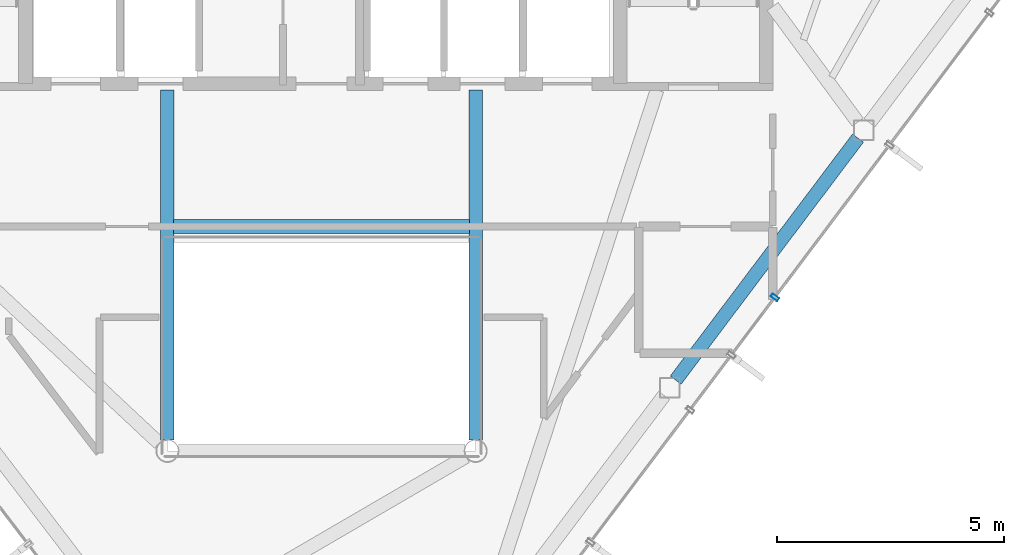
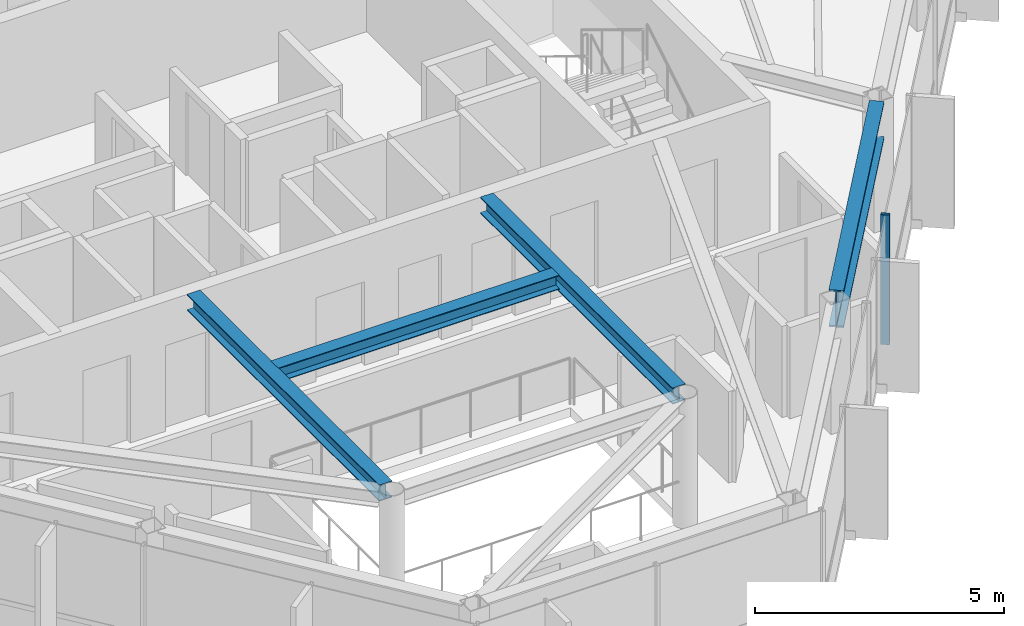
# One storey, part 9 of 22: 4 beams, 1 member, 1 element without a shape of its own.
"""IFC4 building model written with IfcOpenShell, lengths in metres."""

import ifcopenshell
import ifcopenshell.guid

model = None  # the IFC model being written
_history = None  # IfcOwnerHistory: only IFC2X3 demands one
_inside = {}  # id of a spatial element -> (the spatial element, [elements in it])
_under = {}  # id of a project, library or spatial element -> (it, [spatial elements below it])
_declared = {}  # id of a project -> (the project, [libraries it declares])
_typed = {}  # id of a type object -> (the type object, [elements of that type])
_made_of = {}  # id of a material, layer set ... -> (it, [elements and type objects made of it])


def new_model(schema):
    """Start an empty IFC model of exactly this schema.

    Asked for "IFC4X3", IfcOpenShell would pick the latest addendum, in which some entities
    have other attributes; the version numbers below select the first issue.
    IFC2X3 requires an IfcOwnerHistory on every rooted entity: one is made here for all.
    """
    global model, _history
    if schema == "IFC4X3":
        model = ifcopenshell.file(schema_version=(4, 3, 0, 0))
    else:
        model = ifcopenshell.file(schema=schema)
    _inside.clear()
    _under.clear()
    _declared.clear()
    _typed.clear()
    _made_of.clear()
    _history = None
    if model.schema == "IFC2X3":
        org = make("IfcOrganization", Name="unknown")
        user = make(
            "IfcPersonAndOrganization",
            ThePerson=make("IfcPerson", FamilyName="unknown"),
            TheOrganization=org,
        )
        app = make(
            "IfcApplication",
            ApplicationDeveloper=org,
            Version="unknown",
            ApplicationFullName="unknown",
            ApplicationIdentifier="unknown",
        )
        _history = make(
            "IfcOwnerHistory",
            OwningUser=user,
            OwningApplication=app,
            ChangeAction="ADDED",
            CreationDate=0,
        )
    return model


def make(cls, **values):
    """One entity of the class cls with the attributes given. An attribute that is None is left unset."""
    return model.create_entity(
        cls, **{name: value for name, value in values.items() if value is not None}
    )


def rooted(cls, **values):
    """An entity with a GlobalId (a new one), such as an element, a storey or a relation."""
    return make(cls, GlobalId=ifcopenshell.guid.new(), OwnerHistory=_history, **values)


def si_unit(unit_type, name, prefix=None):
    """IfcSIUnit, for example si_unit("LENGTHUNIT", "METRE", prefix="MILLI")."""
    return make("IfcSIUnit", UnitType=unit_type, Prefix=prefix, Name=name)


def assignment(units):
    """IfcUnitAssignment: the units of a project."""
    return None if units is None else make("IfcUnitAssignment", Units=units)


def point(xyz):
    """IfcCartesianPoint."""
    return None if xyz is None else make("IfcCartesianPoint", Coordinates=xyz)


def direction(xyz):
    """IfcDirection."""
    return None if xyz is None else make("IfcDirection", DirectionRatios=xyz)


def frame(location, z_axis=None, x_axis=None):
    """IfcAxis2Placement3D, a coordinate frame: its origin and axes. An axis left out is left unset."""
    return make(
        "IfcAxis2Placement3D",
        Location=point(location),
        Axis=direction(z_axis),
        RefDirection=direction(x_axis),
    )


def frame_2d(location, x_axis=None):
    """IfcAxis2Placement2D, a coordinate frame in the plane: its origin and x axis."""
    return make(
        "IfcAxis2Placement2D", Location=point(location), RefDirection=direction(x_axis)
    )


def origin():
    """The frame at (0, 0, 0) with its axes left unset."""
    return frame((0.0, 0.0, 0.0))


def origin_2d():
    """The frame at (0, 0) in the plane with its x axis left unset."""
    return frame_2d((0.0, 0.0))


def place(relative_to, where):
    """IfcLocalPlacement: puts the frame where relative to a parent placement (None: the world)."""
    return make(
        "IfcLocalPlacement", PlacementRelTo=relative_to, RelativePlacement=where
    )


def context(
    kind, dimensions, precision=None, world=None, true_north=None, identifier=None
):
    """IfcGeometricRepresentationContext, for example the 3D "Model" context."""
    return make(
        "IfcGeometricRepresentationContext",
        ContextIdentifier=identifier,
        ContextType=kind,
        CoordinateSpaceDimension=dimensions,
        Precision=precision,
        WorldCoordinateSystem=world,
        TrueNorth=true_north,
    )


def subcontext(parent, identifier, kind, view, scale=None):
    """IfcGeometricRepresentationSubContext, for example "Body" below "Model"."""
    return make(
        "IfcGeometricRepresentationSubContext",
        ContextIdentifier=identifier,
        ContextType=kind,
        ParentContext=parent,
        TargetScale=scale,
        TargetView=view,
    )


def project(units=None, contexts=None):
    """IfcProject with its units and contexts."""
    return rooted(
        "IfcProject",
        Name="project",
        RepresentationContexts=contexts,
        UnitsInContext=assignment(units),
    )


def spatial(cls, under=None, at=None, **own):
    """A site, building, storey or space (cls), placed at a placement, below another one or the project."""
    s = rooted(cls, ObjectPlacement=at, **own)
    if under is not None:
        _under.setdefault(under.id(), (under, []))[1].append(s)
    return s


def profile(cls, at=None, kind="AREA", **sizes):
    """A parametric profile (cls). Its sizes go by their IFC names, for example OverallWidth=200.0."""
    return make(cls, ProfileType=kind, Position=at, **sizes)


def hollow_rectangle(**sizes):
    """IfcRectangleHollowProfileDef."""
    return profile("IfcRectangleHollowProfileDef", **sizes)


def i_section(**sizes):
    """IfcIShapeProfileDef."""
    return profile("IfcIShapeProfileDef", **sizes)


def extrude(swept, where, along, depth):
    """IfcExtrudedAreaSolid: the profile swept, set in the frame where, extruded along a direction by depth."""
    return make(
        "IfcExtrudedAreaSolid",
        SweptArea=swept,
        Position=where,
        ExtrudedDirection=direction(along),
        Depth=depth,
    )


def shape(context_of_items, identifier, shape_type, items):
    """IfcShapeRepresentation: the items that make up one representation, for example the "Body"."""
    return make(
        "IfcShapeRepresentation",
        ContextOfItems=context_of_items,
        RepresentationIdentifier=identifier,
        RepresentationType=shape_type,
        Items=items,
    )


def material(Name=None, Category=None):
    """IfcMaterial."""
    return make("IfcMaterial", Name=Name, Category=Category)


def layer(
    of_material, thickness, ventilated=None, Name=None, Category=None, Priority=None
):
    """IfcMaterialLayer: one layer of a wall or slab, of a material (None: an air gap)."""
    return make(
        "IfcMaterialLayer",
        Material=of_material,
        LayerThickness=thickness,
        IsVentilated=ventilated,
        Name=Name,
        Category=Category,
        Priority=Priority,
    )


def layer_set(layers, Name=None):
    """IfcMaterialLayerSet."""
    return make("IfcMaterialLayerSet", MaterialLayers=layers, LayerSetName=Name)


def material_profile(
    of_material, cross_section, Name=None, Category=None, Priority=None
):
    """IfcMaterialProfile: a cross section and its material."""
    return make(
        "IfcMaterialProfile",
        Name=Name,
        Material=of_material,
        Profile=cross_section,
        Priority=Priority,
        Category=Category,
    )


def profile_set(profiles, Name=None, composite=None):
    """IfcMaterialProfileSet."""
    return make(
        "IfcMaterialProfileSet",
        Name=Name,
        MaterialProfiles=profiles,
        CompositeProfile=composite,
    )


def made_of(thing, what):
    """Note that an element or type object is made of a material, layer set ...; save() writes the relation."""
    if what is not None:
        _made_of.setdefault(what.id(), (what, []))[1].append(thing)
    return thing


def type_object(cls, material=None, **own):
    """A type object (cls), such as IfcWallType, which elements share."""
    return made_of(rooted(cls, **own), material)


def element(
    cls,
    number,
    at=None,
    inside=None,
    cuts=None,
    type_object=None,
    material=None,
    context=None,
    identifier="Body",
    shape_type=None,
    held_by="IfcProductDefinitionShape",
    body=None,
    shapes=None,
    **own,
):
    """One element of the class cls, such as IfcWall. Its Tag is "e" and its number.

    at: its placement. inside: the storey or other place that contains it. cuts: it is an
    opening in that element (IfcRelVoidsElement). A single representation is given by context,
    identifier, shape_type and body (its items); several are given by shapes. held_by: the class
    of the entity that holds the representations. save() writes the other relations.
    """
    e = rooted(cls, Tag="e%d" % number, ObjectPlacement=at, **own)
    if body is not None:
        shapes = [shape(context, identifier, shape_type, body)]
    if shapes is not None:
        e.Representation = make(held_by, Representations=shapes)
    if inside is not None:
        _inside.setdefault(inside.id(), (inside, []))[1].append(e)
    if cuts is not None:
        rooted(
            "IfcRelVoidsElement", RelatingBuildingElement=cuts, RelatedOpeningElement=e
        )
    if type_object is not None:
        _typed.setdefault(type_object.id(), (type_object, []))[1].append(e)
    return made_of(e, material)


def aggregate(whole, parts):
    """IfcRelAggregates: a whole, such as a stair, and the parts it consists of."""
    return rooted("IfcRelAggregates", RelatingObject=whole, RelatedObjects=parts)


def save(model, path):
    """Write the relations noted so far, then the file.

    IfcRelAggregates (storeys below a building ...), IfcRelContainedInSpatialStructure (elements
    in a storey), IfcRelDefinesByType, IfcRelAssociatesMaterial and IfcRelDeclares: one each for
    every whole, place, type object, material and project.
    """
    for whole, parts in _under.values():
        aggregate(whole, parts)
    for where, things in _inside.values():
        rooted(
            "IfcRelContainedInSpatialStructure",
            RelatedElements=things,
            RelatingStructure=where,
        )
    for kind, things in _typed.values():
        rooted("IfcRelDefinesByType", RelatedObjects=things, RelatingType=kind)
    for what, things in _made_of.values():
        rooted("IfcRelAssociatesMaterial", RelatedObjects=things, RelatingMaterial=what)
    for by, libraries in _declared.values():
        rooted("IfcRelDeclares", RelatingContext=by, RelatedDefinitions=libraries)
    model.write(path)


model = new_model("IFC4")

# Units and contexts
model_context = context("Model", 3, precision=1e-05, world=origin(), true_north=direction((0.0, 1.0)))
body_context = subcontext(model_context, "Body", "Model", "MODEL_VIEW")
ifc_project = project(units=[si_unit("LENGTHUNIT", "METRE"), si_unit("AREAUNIT", "SQUARE_METRE"), si_unit("VOLUMEUNIT", "CUBIC_METRE"), si_unit("PLANEANGLEUNIT", "RADIAN"), si_unit("MASSUNIT", "GRAM", prefix="KILO")], contexts=[model_context])

# Site, building, storey
site_placement = place(None, origin())
site = spatial("IfcSite", under=ifc_project, at=site_placement, CompositionType="ELEMENT")
building_placement = place(site_placement, origin())
building = spatial("IfcBuilding", under=site, at=building_placement, Name="Zarrinselat Tower", CompositionType="ELEMENT")
storey_placement = place(building_placement, frame((0.0, 0.0, 289.0)))
storey = spatial("IfcBuildingStorey", under=building, at=storey_placement, Name="L74", CompositionType="ELEMENT", Elevation=289.0)

# Beams
ifc_material_1 = material(Name="Steel S355J2", Category="steel")
ifc_material_profile_1 = material_profile(ifc_material_1, i_section(OverallWidth=0.300048828125, OverallDepth=0.35009765625, WebThickness=0.010009765625, FlangeThickness=0.017578125, at=origin_2d()), Name="HEA 360")
ifc_profile_set_1 = profile_set([ifc_material_profile_1], Name="Steel S355J2")
beam_type_1 = type_object("IfcBeamType", Name="BM-HEA360", PredefinedType="LINTEL", material=ifc_profile_set_1)
beam_1_placement = place(storey_placement, frame((35.139892578125, 30.14990234375, 3.0048828125), z_axis=(1.0, 0.0, 0.0), x_axis=(0.0, 1.0, 0.0)))
element("IfcBeam", 1, at=beam_1_placement, inside=storey, type_object=beam_type_1, Name="L74 Lift Lobby Ceiling Beam", PredefinedType="LINTEL", context=body_context, shape_type="SweptSolid", body=[
    extrude(i_section(OverallWidth=0.300048828125, OverallDepth=0.35009765625, WebThickness=0.010009765625, FlangeThickness=0.017578125, at=origin_2d()), origin(), (0.0, 0.0, 1.0), 6.52001953125),
])
ifc_material_2 = material(Name="Steel S355J2", Category="steel")
ifc_material_profile_2 = material_profile(ifc_material_2, i_section(OverallWidth=0.300048828125, OverallDepth=0.39990234375, WebThickness=0.013427734375, FlangeThickness=0.02392578125, at=origin_2d()), Name="HEB 400")
ifc_profile_set_2 = profile_set([ifc_material_profile_2], Name="Steel S355J2")
beam_type_2 = type_object("IfcBeamType", Name="BM-HEB400", PredefinedType="BEAM", material=ifc_profile_set_2)
for number, where, z_axis, x_axis, name in (
    (2, (35.0, 25.43994140625, 2.97998046875), (0.0, 1.0, 0.0), (-1.0, 0.0, 0.0), "L74 Atrium Edge Beam W"),
    (3, (41.800048828125, 25.43994140625, 2.97998046875), (0.0, 1.0, 0.0), (-1.0, 0.0, 0.0), "L74 Atrium Edge Beam E"),
):
    element("IfcBeam", number, at=place(storey_placement, frame(where, z_axis=z_axis, x_axis=x_axis)), inside=storey, type_object=beam_type_2, Name=name, PredefinedType="BEAM", context=body_context, shape_type="SweptSolid", body=[
        extrude(i_section(OverallWidth=0.300048828125, OverallDepth=0.39990234375, WebThickness=0.013427734375, FlangeThickness=0.02392578125, at=origin_2d()), origin(), (0.0, 0.0, 1.0), 7.719970703125),
    ])
ifc_material_3 = material(Name="Steel S460M", Category="steel")
ifc_material_profile_3 = material_profile(ifc_material_3, i_section(OverallWidth=0.302001953125, OverallDepth=0.909912109375, WebThickness=0.02099609375, FlangeThickness=0.0400390625, at=origin_2d()), Name="HEM 900")
ifc_profile_set_3 = profile_set([ifc_material_profile_3], Name="Steel S460M")
beam_type_3 = type_object("IfcBeamType", Name="BM-HEM900", PredefinedType="BEAM", material=ifc_profile_set_3)
beam_2_placement = place(storey_placement, frame((46.210205078125, 26.76171875, 2.72509765625), z_axis=(0.601682373339, 0.798735451581, 0.0), x_axis=(-0.798735451581, 0.601682373339, 0.0)))
element("IfcBeam", 4, at=beam_2_placement, inside=storey, type_object=beam_type_3, Name="L74 Perimeter Spandrel Girder SP12", PredefinedType="BEAM", context=body_context, shape_type="SweptSolid", body=[
    extrude(i_section(OverallWidth=0.302001953125, OverallDepth=0.909912109375, WebThickness=0.02099609375, FlangeThickness=0.0400390625, at=origin_2d()), origin(), (0.0, 0.0, 1.0), 6.681640625),
])

# Curtain wall, member
ifc_material_4 = material(Name="Extruded Aluminium Alloy EN AW-6063 T6", Category="aluminium")
ifc_layer = layer(ifc_material_4, 0.199951171875)
ifc_layer_set = layer_set([ifc_layer], Name="Extruded Aluminium Alloy EN AW-6063 T6")
curtain_wall_type = type_object("IfcCurtainWallType", Name="CWS-BLADE", PredefinedType="NOTDEFINED", material=ifc_layer_set)
curtain_wall_placement = place(storey_placement, origin())
curtain_wall = element("IfcCurtainWall", 5, at=curtain_wall_placement, inside=storey, type_object=curtain_wall_type, Name="L74 Unitised Curtain Wall CW-L74-E05", PredefinedType="NOTDEFINED")
ifc_material_5 = material(Name="Extruded Aluminium Alloy EN AW-6063 T6", Category="aluminium")
ifc_material_profile_4 = material_profile(ifc_material_5, hollow_rectangle(XDim=0.080078125, YDim=0.179931640625, WallThickness=0.0048828125, at=origin_2d()), Name="RHS 180x80x5")
ifc_profile_set_4 = profile_set([ifc_material_profile_4], Name="Extruded Aluminium Alloy EN AW-6063 T6")
member_type = type_object("IfcMemberType", Name="MEM-CW-MUL", PredefinedType="MULLION", material=ifc_profile_set_4)
member_placement = place(storey_placement, frame((48.39794921875, 28.58544921875, 0.0), z_axis=(0.0, 0.0, 1.0), x_axis=(0.601672649155, 0.798742776655, 0.0)))
member = element("IfcMember", 6, at=member_placement, type_object=member_type, Name="CW-L74-E05 Mullion 4", PredefinedType="MULLION", context=body_context, shape_type="SweptSolid", body=[
    extrude(hollow_rectangle(XDim=0.080078125, YDim=0.179931640625, WallThickness=0.0048828125, at=origin_2d()), origin(), (0.0, 0.0, 1.0), 3.179931640625),
])
aggregate(curtain_wall, [member])

save(model, "model.ifc")
